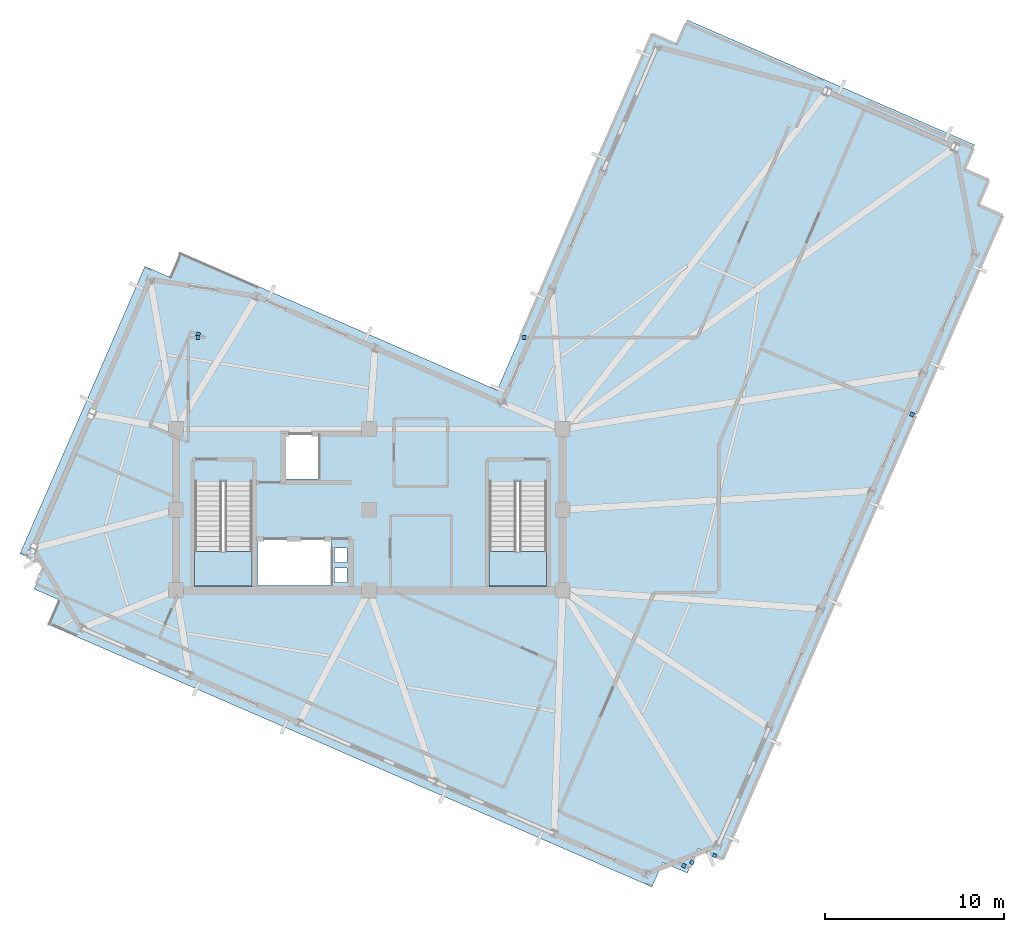
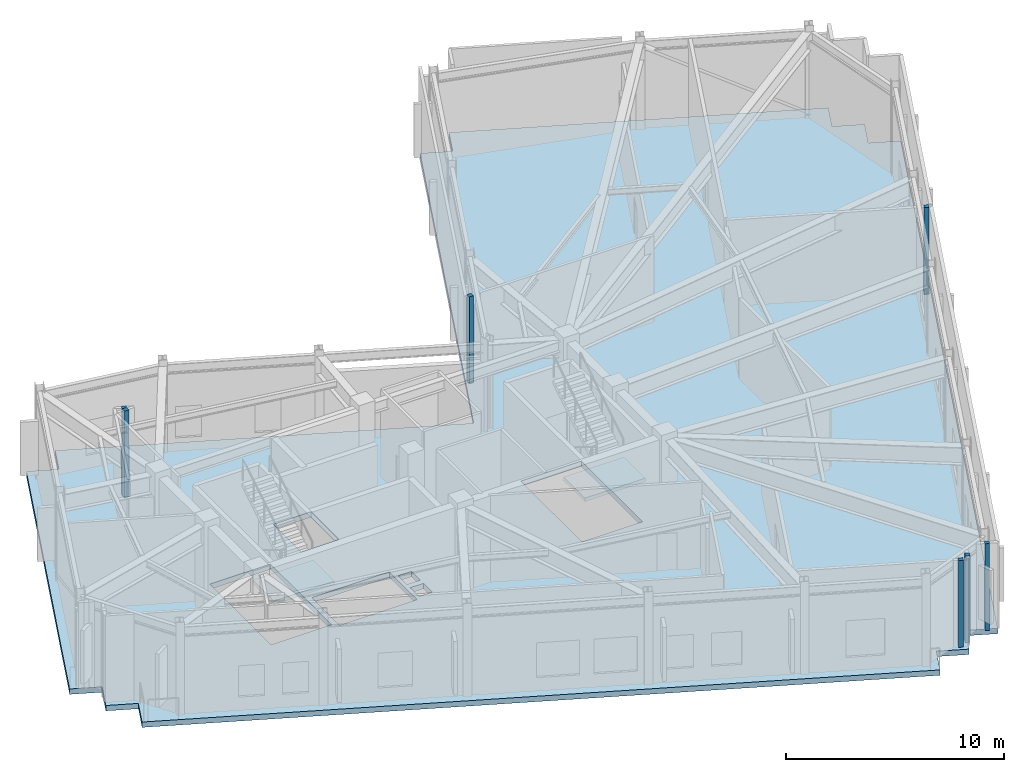
# One storey, part 4 of 12: 7 plates, 3 slabs, 2 elements without a shape of their own.
"""IFC4 building model written with IfcOpenShell, lengths in metres."""

from ifc_helpers import new_model, si_unit, direction, frame, origin, origin_2d, place, context, subcontext, project, spatial, polyline, rectangle, outline, extrude, material, layer, layer_set, type_object, element, aggregate, save


model = new_model("IFC4")

# Units and contexts
model_context = context("Model", 3, precision=1e-05, world=origin(), true_north=direction((0.0, 1.0)))
body_context = subcontext(model_context, "Body", "Model", "MODEL_VIEW")
ifc_project = project(units=[si_unit("LENGTHUNIT", "METRE"), si_unit("AREAUNIT", "SQUARE_METRE"), si_unit("VOLUMEUNIT", "CUBIC_METRE"), si_unit("PLANEANGLEUNIT", "RADIAN"), si_unit("MASSUNIT", "GRAM", prefix="KILO")], contexts=[model_context])

# Site, building, storey
site_placement = place(None, origin())
site = spatial("IfcSite", under=ifc_project, at=site_placement, CompositionType="ELEMENT")
building_placement = place(site_placement, origin())
building = spatial("IfcBuilding", under=site, at=building_placement, Name="Gaonmaruhae Medical Tower", CompositionType="ELEMENT")
storey_placement = place(building_placement, frame((0.0, 0.0, 342.60009765625)))
storey = spatial("IfcBuildingStorey", under=building, at=storey_placement, Name="L82", CompositionType="ELEMENT", Elevation=342.60009765625)

# Slab
ifc_material_1 = material(Name="Concrete C40/50", Category="concrete")
ifc_layer_1 = layer(ifc_material_1, 0.300048828125)
ifc_layer_set_1 = layer_set([ifc_layer_1], Name="Concrete C40/50")
slab_type_1 = type_object("IfcSlabType", Name="FS-300 Refuge & Plant Heavy Floor Slab", PredefinedType="FLOOR", material=ifc_layer_set_1)
slab_1_placement = place(storey_placement, frame((0.0, 0.0, -0.300048828125)))
element("IfcSlab", 1, at=slab_1_placement, inside=storey, type_object=slab_type_1, Name="L82 Structural Slab 1", PredefinedType="FLOOR", context=body_context, shape_type="SweptSolid", body=[
    extrude(outline(polyline([(44.540283203125, -7.218017578125), (60.171142578125, 28.730712890625), (58.795654296875, 29.328857421875), (59.393798828125, 30.70458984375), (58.01806640625, 31.302490234375), (58.6162109375, 32.67822265625), (42.567626953125, 39.65625), (41.969482421875, 38.28076171875), (40.593994140625, 38.87890625), (31.941162109375, 18.978515625), (14.241943359375, 26.674560546875), (13.643798828125, 25.298828125), (12.268310546875, 25.89697265625), (5.2900390625, 9.848388671875), (6.665771484375, 9.25048828125), (6.0673828125, 7.874755859375), (7.443115234375, 7.276611328125), (6.844970703125, 5.901123046875), (40.5927734375, -8.77294921875), (41.19091796875, -7.397216796875), (42.56640625, -7.995361328125), (43.164794921875, -6.619873046875), (44.540283203125, -7.218017578125)]), holes=[polyline([(23.550048828125, 9.050048828125), (23.550048828125, 8.25), (22.85009765625, 8.25), (22.85009765625, 9.050048828125), (23.550048828125, 9.050048828125)]), polyline([(18.550048828125, 8.074951171875), (18.550048828125, 10.625), (22.64990234375, 10.625), (22.64990234375, 8.074951171875), (18.550048828125, 8.074951171875)]), polyline([(23.550048828125, 9.35009765625), (22.85009765625, 9.35009765625), (22.85009765625, 10.14990234375), (23.550048828125, 10.14990234375), (23.550048828125, 9.35009765625)]), polyline([(15.050048828125, 8.300048828125), (15.050048828125, 13.889892578125), (18.25, 13.889892578125), (18.25, 8.300048828125), (15.050048828125, 8.300048828125)]), polyline([(31.5, 13.889892578125), (34.699951171875, 13.889892578125), (34.699951171875, 8.300048828125), (31.5, 8.300048828125), (31.5, 13.889892578125)]), polyline([(19.949951171875, 16.574951171875), (21.949951171875, 16.574951171875), (21.949951171875, 14.02490234375), (19.949951171875, 14.02490234375), (19.949951171875, 16.574951171875)])]), origin(), (0.0, 0.0, 1.0), 0.300048828125),
])

# Plates
ifc_material_2 = material(Name="Anodised aluminium 6063-T6", Category="aluminium")
ifc_layer_2 = layer(ifc_material_2, 0.011962890625)
ifc_layer_set_2 = layer_set([ifc_layer_2], Name="Anodised aluminium 6063-T6")
plate_type = type_object("IfcPlateType", Name="PP-01 Interior Partition Corner Stiffener Plate", PredefinedType="SHEET", material=ifc_layer_set_2)
for number, where, z_axis, x_axis, name in (
    (2, (55.10693359375, 17.62939453125, -0.000244140625), (0.0, 0.0, 1.0), (0.91710878393, -0.398637025925, 0.0), "L82 Partition Corner Stiffener Plate PLT-L82-JGP-PW011"),
    (3, (44.08740234375, -7.02099609375, -0.000244140625), (0.0, 0.0, 1.0), (-0.916879033383, 0.399165176517, 0.0), "L82 Partition Corner Stiffener Plate PLT-L82-JGP-PW013"),
    (4, (42.822998046875, -7.405029296875, -0.000244140625), (0.0, 0.0, 1.0), (-0.398829095996, -0.917025273473, 0.0), "L82 Partition Corner Stiffener Plate PLT-L82-JGP-PW014"),
    (5, (42.37109375, -7.5830078125, -0.000244140625), (0.0, 0.0, 1.0), (-0.917025273473, 0.398829095996, 0.0), "L82 Partition Corner Stiffener Plate PLT-L82-JGP-PW015"),
    (6, (33.45703125, 21.919921875, -0.000244140625), (0.0, 0.0, 1.0), (-1.0, 0.0, 0.0), "L82 Partition Corner Stiffener Plate PLT-L82-JGP-PW028"),
    (7, (15.241455078125, 22.096435546875, -0.000244140625), (0.0, 0.0, 1.0), (0.916906898134, -0.399101165312, 0.0), "L82 Partition Corner Stiffener Plate PLT-L82-JGP-PW052"),
    (8, (15.217529296875, 21.91943359375, -0.000244140625), (0.0, 0.0, 1.0), (-0.999999316286, -0.001169370332, 0.0), "L82 Partition Corner Stiffener Plate PLT-L82-JGP-PW053"),
):
    element("IfcPlate", number, at=place(storey_placement, frame(where, z_axis=z_axis, x_axis=x_axis)), inside=storey, type_object=plate_type, Name=name, PredefinedType="SHEET", context=body_context, shape_type="SweptSolid", body=[
        extrude(rectangle(XDim=0.219970703125, YDim=0.219970703125, at=origin_2d()), origin(), (0.0, 0.0, 1.0), 4.85009765625),
    ])

# Stair, slab
stair_type = type_object("IfcStairType", Name="ST-T1 Primary Core Escape Dogleg Stair", PredefinedType="TWO_QUARTER_TURN_STAIR", material=ifc_material_1)
stair_1_placement = place(storey_placement, origin())
stair_1 = element("IfcStair", 9, at=stair_1_placement, inside=storey, type_object=stair_type, Name="L82 Protected Escape Stair ST-01", PredefinedType="TWO_QUARTER_TURN_STAIR")
ifc_layer_3 = layer(ifc_material_1, 0.199951171875)
ifc_layer_set_3 = layer_set([ifc_layer_3], Name="Concrete C40/50")
slab_type_2 = type_object("IfcSlabType", Name="SL-200 Stair & Ramp Intermediate Concrete Landing", PredefinedType="LANDING", material=ifc_layer_set_3)
slab_2_placement = place(storey_placement, frame((0.0, 0.0, 2.39990234375)))
slab_2 = element("IfcSlab", 10, at=slab_2_placement, type_object=slab_type_2, Name="ST-01 landing 1", PredefinedType="LANDING", context=body_context, shape_type="SweptSolid", body=[
    extrude(outline(polyline([(15.050048828125, 9.97998046875), (15.050048828125, 8.029052734375), (18.25, 8.029052734375), (18.25, 9.97998046875), (15.050048828125, 9.97998046875)])), origin(), (0.0, 0.0, 1.0), 0.199951171875),
])
aggregate(stair_1, [slab_2])

stair_2_placement = place(storey_placement, origin())
stair_2 = element("IfcStair", 11, at=stair_2_placement, inside=storey, type_object=stair_type, Name="L82 Protected Escape Stair ST-02", PredefinedType="TWO_QUARTER_TURN_STAIR")
slab_3_placement = place(storey_placement, frame((0.0, 0.0, 2.39990234375)))
slab_3 = element("IfcSlab", 12, at=slab_3_placement, type_object=slab_type_2, Name="ST-02 landing 1", PredefinedType="LANDING", context=body_context, shape_type="SweptSolid", body=[
    extrude(outline(polyline([(31.5, 9.97998046875), (31.5, 8.029052734375), (34.699951171875, 8.029052734375), (34.699951171875, 9.97998046875), (31.5, 9.97998046875)])), origin(), (0.0, 0.0, 1.0), 0.199951171875),
])
aggregate(stair_2, [slab_3])

save(model, "model.ifc")
